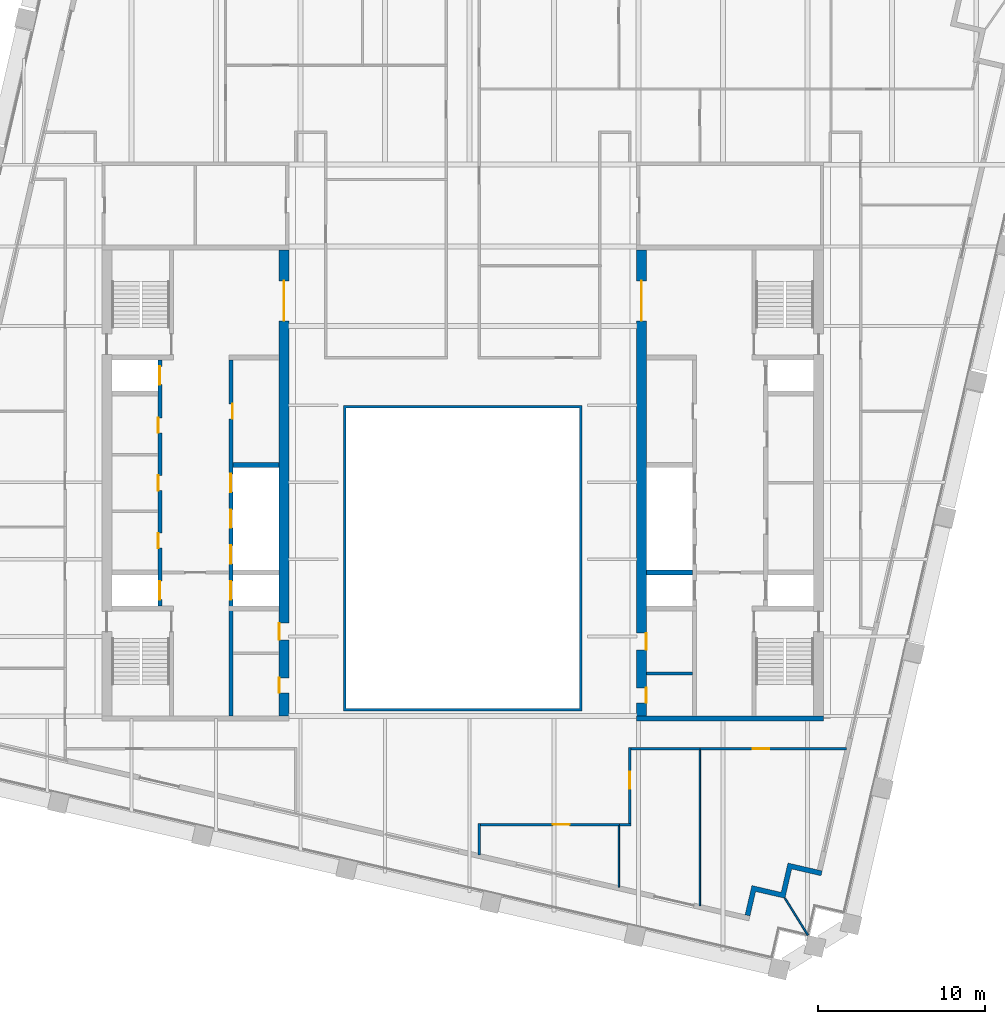
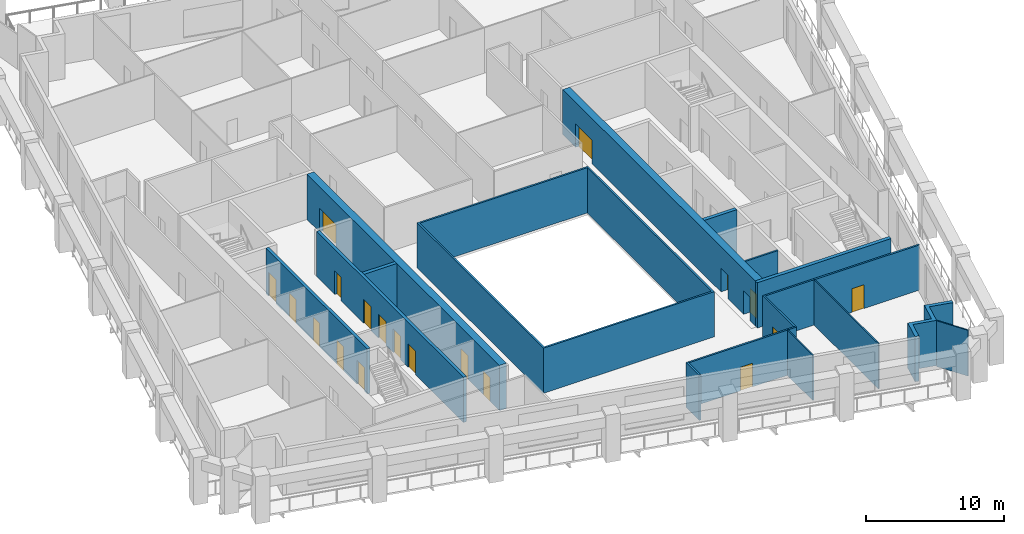
# One storey, part 4 of 9: 19 doors, 19 walls, 19 openings.
"""IFC4 building model written with IfcOpenShell, lengths in metres."""

from ifc_helpers import new_model, si_unit, direction, frame, frame_2d, origin, place, context, subcontext, project, spatial, polyline, rectangle, outline, extrude, material, layer, layer_set, type_object, element, fill, save


model = new_model("IFC4")

# Units and contexts
model_context = context("Model", 3, precision=1e-05, world=origin(), true_north=direction((0.0, 1.0)))
body_context = subcontext(model_context, "Body", "Model", "MODEL_VIEW")
ifc_project = project(units=[si_unit("LENGTHUNIT", "METRE"), si_unit("AREAUNIT", "SQUARE_METRE"), si_unit("VOLUMEUNIT", "CUBIC_METRE"), si_unit("PLANEANGLEUNIT", "RADIAN"), si_unit("MASSUNIT", "GRAM", prefix="KILO")], contexts=[model_context])

# Site, building, storey
site_placement = place(None, origin())
site = spatial("IfcSite", under=ifc_project, at=site_placement, CompositionType="ELEMENT")
building_placement = place(site_placement, origin())
building = spatial("IfcBuilding", under=site, at=building_placement, Name="Ogive Exchange Tower", CompositionType="ELEMENT")
storey_placement = place(building_placement, frame((0.0, 0.0, 276.60009765625)))
storey = spatial("IfcBuildingStorey", under=building, at=storey_placement, Name="L60", CompositionType="ELEMENT", Elevation=276.60009765625)

# Walls
ifc_material_1 = material(Name="Gypsum board partition")
ifc_layer_1 = layer(ifc_material_1, 0.14990234375)
ifc_layer_set_1 = layer_set([ifc_layer_1], Name="Core room partition 150 gypsum")
wall_type_1 = type_object("IfcWallType", Name="Core room partition 150 gypsum", PredefinedType="PARTITIONING", material=ifc_layer_set_1)
wall_1_placement = place(storey_placement, frame((11.0, 0.10009765625, 0.0), z_axis=(0.0, 0.0, 1.0), x_axis=(1.0, 0.0, 0.0)))
element("IfcWall", 1, at=wall_1_placement, inside=storey, type_object=wall_type_1, Name="E south room partition", PredefinedType="PARTITIONING", context=body_context, shape_type="SweptSolid", body=[
    extrude(rectangle(XDim=2.75, YDim=0.14990234375, at=frame_2d((1.375, 0.0))), origin(), (0.0, 0.0, 1.0), 4.0),
])
ifc_material_2 = material(Name="Fire partition EI 60 150")
ifc_layer_2 = layer(ifc_material_2, 0.14990234375)
ifc_layer_set_2 = layer_set([ifc_layer_2], Name="Fire partition EI 60 150")
wall_type_2 = type_object("IfcWallType", Name="Fire partition EI 60 150", PredefinedType="PARTITIONING", material=ifc_layer_set_2)
wall_2_placement = place(storey_placement, frame((0.989990234375, -8.864990234375, 0.0), z_axis=(0.0, 0.0, 1.0), x_axis=(0.0, -1.0, 0.0)))
element("IfcWall", 2, at=wall_2_placement, inside=storey, type_object=wall_type_2, Name="L60-PWL-035", PredefinedType="PARTITIONING", context=body_context, shape_type="SweptSolid", body=[
    extrude(rectangle(XDim=1.887939453125, YDim=0.14990234375, at=frame_2d((0.94384765625, 0.0))), origin(), (0.0, 0.0, 1.0), 4.0),
])

# Wall, opening, door
wall_3_placement = place(storey_placement, frame((9.389892578125, -8.93994140625, 0.0), z_axis=(0.0, 0.0, 1.0), x_axis=(-1.0, 0.0, 0.0)))
wall_3 = element("IfcWall", 3, at=wall_3_placement, inside=storey, type_object=wall_type_2, Name="L60-PWL-045", PredefinedType="PARTITIONING", context=body_context, shape_type="SweptSolid", body=[
    extrude(rectangle(XDim=8.324951171875, YDim=0.14990234375, at=frame_2d((4.16259765625, 0.0))), origin(), (0.0, 0.0, 1.0), 4.0),
])
opening_1_placement = place(wall_3_placement, frame((3.0, 0.0, 0.0)))
opening_1 = element("IfcOpeningElement", 4, at=opening_1_placement, cuts=wall_3, Name="Opening L60-I07", PredefinedType="OPENING", context=body_context, shape_type="SweptSolid", body=[
    extrude(rectangle(XDim=1.0, YDim=2.10009765625, at=frame_2d((0.5, 1.050048828125))), frame((0.0, 0.0849609375, 0.0), z_axis=(0.0, -1.0, 0.0), x_axis=(1.0, 0.0, 0.0)), (0.0, 0.0, 1.0), 0.169921875),
])
ifc_material_3 = material(Name="Fire door FD 30S 1000 x 2100")
door_type_1 = type_object("IfcDoorType", Name="Fire door FD 30S 1000 x 2100", OperationType="NOTDEFINED", PredefinedType="DOOR", material=ifc_material_3)
door_1_placement = place(opening_1_placement, origin())
door_1 = element("IfcDoor", 5, at=door_1_placement, inside=storey, type_object=door_type_1, Name="L60-IDR-007", ObjectType="DT3", OperationType="SINGLE_SWING_RIGHT", OverallHeight=2.10009765625, OverallWidth=1.0, PredefinedType="DOOR", context=body_context, shape_type="SweptSolid", body=[
    extrude(rectangle(XDim=1.0, YDim=2.10009765625, at=frame_2d((0.5, 1.050048828125))), frame((0.0, 0.02490234375, 0.0), z_axis=(0.0, -1.0, 0.0), x_axis=(1.0, 0.0, 0.0)), (0.0, 0.0, 1.0), 0.050048828125),
])
fill(opening_1, door_1)

# Wall
wall_4_placement = place(storey_placement, frame((10.074951171875, -8.93994140625, 0.0), z_axis=(0.0, 0.0, 1.0), x_axis=(-1.0, 0.0, 0.0)))
element("IfcWall", 6, at=wall_4_placement, inside=storey, type_object=wall_type_2, Name="L60-PWL-051", PredefinedType="PARTITIONING", context=body_context, shape_type="SweptSolid", body=[
    extrude(rectangle(XDim=0.68505859375, YDim=0.14990234375, at=frame_2d((0.342529296875, 0.0))), origin(), (0.0, 0.0, 1.0), 4.0),
])

# Wall, opening, door
wall_5_placement = place(storey_placement, frame((10.0, -4.324951171875, 0.0), z_axis=(0.0, 0.0, 1.0), x_axis=(0.0, -1.0, 0.0)))
wall_5 = element("IfcWall", 7, at=wall_5_placement, inside=storey, type_object=wall_type_2, Name="L60-PWL-052", PredefinedType="PARTITIONING", context=body_context, shape_type="SweptSolid", body=[
    extrude(rectangle(XDim=4.5400390625, YDim=0.14990234375, at=frame_2d((2.27001953125, 0.0))), origin(), (0.0, 0.0, 1.0), 4.0),
])
opening_2_placement = place(wall_5_placement, frame((1.465087890625, 0.0, 0.0)))
opening_2 = element("IfcOpeningElement", 8, at=opening_2_placement, cuts=wall_5, Name="Opening L60-I08", PredefinedType="OPENING", context=body_context, shape_type="SweptSolid", body=[
    extrude(rectangle(XDim=1.0, YDim=2.10009765625, at=frame_2d((0.5, 1.050048828125))), frame((0.0, 0.0849609375, 0.0), z_axis=(0.0, -1.0, 0.0), x_axis=(1.0, 0.0, 0.0)), (0.0, 0.0, 1.0), 0.169921875),
])
door_2_placement = place(opening_2_placement, origin())
door_2 = element("IfcDoor", 9, at=door_2_placement, inside=storey, type_object=door_type_1, Name="L60-IDR-008", ObjectType="DT3", OperationType="SINGLE_SWING_RIGHT", OverallHeight=2.10009765625, OverallWidth=1.0, PredefinedType="DOOR", context=body_context, shape_type="SweptSolid", body=[
    extrude(rectangle(XDim=1.0, YDim=2.10009765625, at=frame_2d((0.5, 1.050048828125))), frame((0.0, 0.02490234375, 0.0), z_axis=(0.0, -1.0, 0.0), x_axis=(1.0, 0.0, 0.0)), (0.0, 0.0, 1.0), 0.050048828125),
])
fill(opening_2, door_2)

# Wall
wall_6_placement = place(storey_placement, frame((14.18994140625, -4.39990234375, 0.0), z_axis=(0.0, 0.0, 1.0), x_axis=(-1.0, 0.0, 0.0)))
element("IfcWall", 10, at=wall_6_placement, inside=storey, type_object=wall_type_2, Name="L60-PWL-054", PredefinedType="PARTITIONING", context=body_context, shape_type="SweptSolid", body=[
    extrude(rectangle(XDim=4.114990234375, YDim=0.14990234375, at=frame_2d((2.0576171875, 0.0))), origin(), (0.0, 0.0, 1.0), 4.0),
])

# Wall, opening, door
wall_7_placement = place(storey_placement, frame((22.968017578125, -4.39990234375, 0.0), z_axis=(0.0, 0.0, 1.0), x_axis=(-1.0, 0.0, 0.0)))
wall_7 = element("IfcWall", 11, at=wall_7_placement, inside=storey, type_object=wall_type_2, Name="L60-PWL-064", PredefinedType="PARTITIONING", context=body_context, shape_type="SweptSolid", body=[
    extrude(rectangle(XDim=8.778076171875, YDim=0.14990234375, at=frame_2d((4.38916015625, 0.0))), origin(), (0.0, 0.0, 1.0), 4.0),
])
opening_3_placement = place(wall_7_placement, frame((4.6279296875, 0.0, 0.0)))
opening_3 = element("IfcOpeningElement", 12, at=opening_3_placement, cuts=wall_7, Name="Opening L60-I09", PredefinedType="OPENING", context=body_context, shape_type="SweptSolid", body=[
    extrude(rectangle(XDim=1.0, YDim=2.10009765625, at=frame_2d((0.5, 1.050048828125))), frame((0.0, 0.0849609375, 0.0), z_axis=(0.0, -1.0, 0.0), x_axis=(1.0, 0.0, 0.0)), (0.0, 0.0, 1.0), 0.169921875),
])
door_3_placement = place(opening_3_placement, origin())
door_3 = element("IfcDoor", 13, at=door_3_placement, inside=storey, type_object=door_type_1, Name="L60-IDR-009", ObjectType="DT3", OperationType="SINGLE_SWING_LEFT", OverallHeight=2.10009765625, OverallWidth=1.0, PredefinedType="DOOR", context=body_context, shape_type="SweptSolid", body=[
    extrude(rectangle(XDim=1.0, YDim=2.10009765625, at=frame_2d((0.5, 1.050048828125))), frame((0.0, 0.02490234375, 0.0), z_axis=(0.0, -1.0, 0.0), x_axis=(1.0, 0.0, 0.0)), (0.0, 0.0, 1.0), 0.050048828125),
])
fill(opening_3, door_3)

# Walls
ifc_material_4 = material(Name="Fire-resisting glass in steel frame", Category="steel")
ifc_layer_3 = layer(ifc_material_4, 0.14990234375)
ifc_layer_set_3 = layer_set([ifc_layer_3], Name="Fire-rated glazed wall 150")
wall_type_3 = type_object("IfcWallType", Name="Fire-rated glazed wall 150", PredefinedType="STANDARD", material=ifc_layer_set_3)
wall_8_placement = place(storey_placement, origin())
element("IfcWall", 14, at=wall_8_placement, inside=storey, type_object=wall_type_3, Name="Nave enclosure wall", PredefinedType="STANDARD", context=body_context, shape_type="SweptSolid", body=[
    extrude(outline(polyline([(-7.14990234375, -2.14990234375), (7.14990234375, -2.14990234375), (7.14990234375, 16.14990234375), (-7.14990234375, 16.14990234375), (-7.14990234375, -2.14990234375)]), holes=[polyline([(-7.0, -2.0), (-7.0, 16.0), (7.0, 16.0), (7.0, -2.0), (-7.0, -2.0)])]), origin(), (0.0, 0.0, 1.0), 4.0),
])
ifc_material_5 = material(Name="Precast concrete C40/50", Category="concrete")
ifc_layer_4 = layer(ifc_material_5, 0.300048828125)
ifc_layer_set_4 = layer_set([ifc_layer_4], Name="Limestone-faced wall 300")
wall_type_4 = type_object("IfcWallType", Name="Limestone-faced wall 300", PredefinedType="STANDARD", material=ifc_layer_set_4)
wall_9_placement = place(storey_placement, origin())
element("IfcWall", 15, at=wall_9_placement, inside=storey, type_object=wall_type_4, Name="External corner wall C1", PredefinedType="STANDARD", context=body_context, shape_type="SweptSolid", body=[
    extrude(outline(polyline([(19.053955078125, -12.993408203125), (19.458740234375, -11.239501953125), (21.5048828125, -11.7119140625), (21.4375, -12.004150390625), (19.68359375, -11.599365234375), (19.27880859375, -13.353271484375), (17.52490234375, -12.9482421875), (17.1875, -14.409912109375), (16.89501953125, -14.34228515625), (17.300048828125, -12.58837890625), (19.053955078125, -12.993408203125)])), origin(), (0.0, 0.0, 1.0), 4.0),
])
ifc_material_6 = material(Name="Laminated safety glass in steel frame", Category="steel")
ifc_layer_5 = layer(ifc_material_6, 0.10009765625)
ifc_layer_set_5 = layer_set([ifc_layer_5], Name="Loggia end screen 100")
wall_type_5 = type_object("IfcWallType", Name="Loggia end screen 100", PredefinedType="STANDARD", material=ifc_layer_set_5)
wall_10_placement = place(storey_placement, frame((19.27880859375, -13.353271484375, -0.050048828125), z_axis=(0.0, 0.0, 1.0), x_axis=(0.529914407191, -0.848051131154, 0.0)))
element("IfcWall", 16, at=wall_10_placement, inside=storey, type_object=wall_type_5, Name="Loggia end screen C1", PredefinedType="STANDARD", context=body_context, shape_type="SweptSolid", body=[
    extrude(rectangle(XDim=2.59619140625, YDim=0.10009765625, at=frame_2d((1.298095703125, 0.0))), origin(), (0.0, 0.0, 1.0), 4.050048828125),
])
ifc_material_7 = material(Name="Partition 100 gypsum")
ifc_layer_6 = layer(ifc_material_7, 0.10009765625)
ifc_layer_set_6 = layer_set([ifc_layer_6], Name="Partition 100 gypsum")
wall_type_6 = type_object("IfcWallType", Name="Partition 100 gypsum", PredefinedType="PARTITIONING", material=ifc_layer_set_6)
wall_11_placement = place(storey_placement, frame((9.340087890625, -9.014892578125, 0.0), z_axis=(0.0, 0.0, 1.0), x_axis=(0.0, -1.0, 0.0)))
element("IfcWall", 17, at=wall_11_placement, inside=storey, type_object=wall_type_6, Name="L60-PWL-046", PredefinedType="PARTITIONING", context=body_context, shape_type="SweptSolid", body=[
    extrude(rectangle(XDim=3.666015625, YDim=0.10009765625, at=frame_2d((1.8330078125, 0.0))), origin(), (0.0, 0.0, 1.0), 4.0),
])
wall_12_placement = place(storey_placement, frame((14.18994140625, -4.47509765625, 0.0), z_axis=(0.0, 0.0, 1.0), x_axis=(0.0, -1.0, 0.0)))
element("IfcWall", 18, at=wall_12_placement, inside=storey, type_object=wall_type_6, Name="L60-PWL-055", PredefinedType="PARTITIONING", context=body_context, shape_type="SweptSolid", body=[
    extrude(rectangle(XDim=9.324951171875, YDim=0.10009765625, at=frame_2d((4.66259765625, 0.0))), origin(), (0.0, 0.0, 1.0), 4.0),
])

# Wall, openings, doors
ifc_material_8 = material(Name="Concrete C70/85", Category="concrete")
ifc_layer_7 = layer(ifc_material_8, 0.25)
ifc_layer_set_7 = layer_set([ifc_layer_7], Name="RC core wall 250 C70/85")
wall_type_7 = type_object("IfcWallType", Name="RC core wall 250 C70/85", PredefinedType="SHEAR", material=ifc_layer_set_7)
wall_13_placement = place(storey_placement, frame((-18.125, 4.14990234375, 0.0), z_axis=(0.0, 0.0, 1.0), x_axis=(0.0, 1.0, 0.0)))
wall_13 = element("IfcWall", 19, at=wall_13_placement, inside=storey, type_object=wall_type_7, Name="W row A front wall", PredefinedType="SHEAR", context=body_context, shape_type="SweptSolid", body=[
    extrude(rectangle(XDim=14.7001953125, YDim=0.25, at=frame_2d((7.35009765625, 0.0))), origin(), (0.0, 0.0, 1.0), 4.0),
])
opening_4_placement = place(wall_13_placement, frame((3.4462890625, 0.0, 0.0)))
opening_4 = element("IfcOpeningElement", 20, at=opening_4_placement, cuts=wall_13, Name="Opening L60-C01", PredefinedType="OPENING", context=body_context, shape_type="SweptSolid", body=[
    extrude(rectangle(XDim=0.89990234375, YDim=2.10009765625, at=frame_2d((0.449951171875, 1.050048828125))), frame((0.0, 0.135009765625, 0.0), z_axis=(0.0, -1.0, 0.0), x_axis=(1.0, 0.0, 0.0)), (0.0, 0.0, 1.0), 0.27001953125),
])
opening_5_placement = place(wall_13_placement, frame((6.89990234375, 0.0, 0.0)))
opening_5 = element("IfcOpeningElement", 21, at=opening_5_placement, cuts=wall_13, Name="Opening L60-C02", PredefinedType="OPENING", context=body_context, shape_type="SweptSolid", body=[
    extrude(rectangle(XDim=0.89990234375, YDim=2.10009765625, at=frame_2d((0.449951171875, 1.050048828125))), frame((0.0, 0.135009765625, 0.0), z_axis=(0.0, -1.0, 0.0), x_axis=(1.0, 0.0, 0.0)), (0.0, 0.0, 1.0), 0.27001953125),
])
opening_6_placement = place(wall_13_placement, frame((10.353515625, 0.0, 0.0)))
opening_6 = element("IfcOpeningElement", 22, at=opening_6_placement, cuts=wall_13, Name="Opening L60-C03", PredefinedType="OPENING", context=body_context, shape_type="SweptSolid", body=[
    extrude(rectangle(XDim=0.89990234375, YDim=2.10009765625, at=frame_2d((0.449951171875, 1.050048828125))), frame((0.0, 0.135009765625, 0.0), z_axis=(0.0, -1.0, 0.0), x_axis=(1.0, 0.0, 0.0)), (0.0, 0.0, 1.0), 0.27001953125),
])
opening_7_placement = place(wall_13_placement, frame((0.371337890625, 0.0, 0.0)))
opening_7 = element("IfcOpeningElement", 23, at=opening_7_placement, cuts=wall_13, Name="Opening L60-C04", PredefinedType="OPENING", context=body_context, shape_type="SweptSolid", body=[
    extrude(rectangle(XDim=1.10009765625, YDim=2.10009765625, at=frame_2d((0.550048828125, 1.050048828125))), frame((0.0, 0.135009765625, 0.0), z_axis=(0.0, -1.0, 0.0), x_axis=(1.0, 0.0, 0.0)), (0.0, 0.0, 1.0), 0.27001953125),
])
opening_8_placement = place(wall_13_placement, frame((13.228515625, 0.0, 0.0)))
opening_8 = element("IfcOpeningElement", 24, at=opening_8_placement, cuts=wall_13, Name="Opening L60-C05", PredefinedType="OPENING", context=body_context, shape_type="SweptSolid", body=[
    extrude(rectangle(XDim=1.10009765625, YDim=2.10009765625, at=frame_2d((0.550048828125, 1.050048828125))), frame((0.0, 0.135009765625, 0.0), z_axis=(0.0, -1.0, 0.0), x_axis=(1.0, 0.0, 0.0)), (0.0, 0.0, 1.0), 0.27001953125),
])
ifc_material_9 = material(Name="Timber fire door", Category="wood")
door_type_2 = type_object("IfcDoorType", Name="Core room door FD30S 900 x 2100", OperationType="NOTDEFINED", PredefinedType="DOOR", material=ifc_material_9)
door_4_placement = place(opening_5_placement, origin())
door_4 = element("IfcDoor", 25, at=door_4_placement, inside=storey, type_object=door_type_2, Name="Core room door", ObjectType="CD6", OperationType="SINGLE_SWING_RIGHT", OverallHeight=2.10009765625, OverallWidth=0.89990234375, PredefinedType="DOOR", context=body_context, shape_type="SweptSolid", body=[
    extrude(rectangle(XDim=0.89990234375, YDim=2.10009765625, at=frame_2d((0.449951171875, 1.050048828125))), frame((0.0, 0.125, 0.0), z_axis=(0.0, -1.0, 0.0), x_axis=(1.0, 0.0, 0.0)), (0.0, 0.0, 1.0), 0.050048828125),
])
fill(opening_5, door_4)
ifc_material_10 = material(Name="Stainless steel", Category="steel")
door_type_3 = type_object("IfcDoorType", Name="Lift landing door FD90 1100 x 2100", OperationType="SLIDING_TO_LEFT", PredefinedType="DOOR", material=ifc_material_10)
door_5_placement = place(opening_7_placement, origin())
door_5 = element("IfcDoor", 26, at=door_5_placement, inside=storey, type_object=door_type_3, Name="Lift landing door FF1", ObjectType="LD", OperationType="SLIDING_TO_LEFT", OverallHeight=2.10009765625, OverallWidth=1.10009765625, PredefinedType="DOOR", context=body_context, shape_type="SweptSolid", body=[
    extrude(rectangle(XDim=1.10009765625, YDim=2.10009765625, at=frame_2d((0.550048828125, 1.050048828125))), frame((0.0, 0.02490234375, 0.0), z_axis=(0.0, -1.0, 0.0), x_axis=(1.0, 0.0, 0.0)), (0.0, 0.0, 1.0), 0.050048828125),
])
fill(opening_7, door_5)
door_6_placement = place(opening_8_placement, origin())
door_6 = element("IfcDoor", 27, at=door_6_placement, inside=storey, type_object=door_type_3, Name="Lift landing door W-SH2", ObjectType="LD", OperationType="SLIDING_TO_LEFT", OverallHeight=2.10009765625, OverallWidth=1.10009765625, PredefinedType="DOOR", context=body_context, shape_type="SweptSolid", body=[
    extrude(rectangle(XDim=1.10009765625, YDim=2.10009765625, at=frame_2d((0.550048828125, 1.050048828125))), frame((0.0, 0.02490234375, 0.0), z_axis=(0.0, -1.0, 0.0), x_axis=(1.0, 0.0, 0.0)), (0.0, 0.0, 1.0), 0.050048828125),
])
fill(opening_8, door_6)
ifc_material_11 = material(Name="Steel fire door", Category="steel")
door_type_4 = type_object("IfcDoorType", Name="Riser door FD60 900 x 2100", OperationType="NOTDEFINED", PredefinedType="DOOR", material=ifc_material_11)
door_7_placement = place(opening_4_placement, origin())
door_7 = element("IfcDoor", 28, at=door_7_placement, inside=storey, type_object=door_type_4, Name="Riser door", ObjectType="CD2", OperationType="SINGLE_SWING_RIGHT", OverallHeight=2.10009765625, OverallWidth=0.89990234375, PredefinedType="DOOR", context=body_context, shape_type="SweptSolid", body=[
    extrude(rectangle(XDim=0.89990234375, YDim=2.10009765625, at=frame_2d((0.449951171875, 1.050048828125))), frame((0.0, 0.125, 0.0), z_axis=(0.0, -1.0, 0.0), x_axis=(1.0, 0.0, 0.0)), (0.0, 0.0, 1.0), 0.050048828125),
])
fill(opening_4, door_7)
door_8_placement = place(opening_6_placement, origin())
door_8 = element("IfcDoor", 29, at=door_8_placement, inside=storey, type_object=door_type_4, Name="Riser door", ObjectType="CD2", OperationType="SINGLE_SWING_RIGHT", OverallHeight=2.10009765625, OverallWidth=0.89990234375, PredefinedType="DOOR", context=body_context, shape_type="SweptSolid", body=[
    extrude(rectangle(XDim=0.89990234375, YDim=2.10009765625, at=frame_2d((0.449951171875, 1.050048828125))), frame((0.0, 0.125, 0.0), z_axis=(0.0, -1.0, 0.0), x_axis=(1.0, 0.0, 0.0)), (0.0, 0.0, 1.0), 0.050048828125),
])
fill(opening_6, door_8)

wall_14_placement = place(storey_placement, frame((-13.875, -2.449951171875, 0.0), z_axis=(0.0, 0.0, 1.0), x_axis=(0.0, 1.0, 0.0)))
wall_14 = element("IfcWall", 30, at=wall_14_placement, inside=storey, type_object=wall_type_7, Name="W row B front wall", PredefinedType="SHEAR", context=body_context, shape_type="SweptSolid", body=[
    extrude(rectangle(XDim=21.300048828125, YDim=0.25, at=frame_2d((10.64990234375, 0.0))), origin(), (0.0, 0.0, 1.0), 4.0),
])
opening_9_placement = place(wall_14_placement, frame((17.78564453125, 0.0, 0.0)))
opening_9 = element("IfcOpeningElement", 31, at=opening_9_placement, cuts=wall_14, Name="Opening L60-C06", PredefinedType="OPENING", context=body_context, shape_type="SweptSolid", body=[
    extrude(rectangle(XDim=0.89990234375, YDim=2.10009765625, at=frame_2d((0.449951171875, 1.050048828125))), frame((0.0, 0.135009765625, 0.0), z_axis=(0.0, -1.0, 0.0), x_axis=(1.0, 0.0, 0.0)), (0.0, 0.0, 1.0), 0.27001953125),
])
opening_10_placement = place(wall_14_placement, frame((6.971435546875, 0.0, 0.0)))
opening_10 = element("IfcOpeningElement", 32, at=opening_10_placement, cuts=wall_14, Name="Opening L60-C07", PredefinedType="OPENING", context=body_context, shape_type="SweptSolid", body=[
    extrude(rectangle(XDim=1.10009765625, YDim=2.10009765625, at=frame_2d((0.550048828125, 1.050048828125))), frame((0.0, 0.135009765625, 0.0), z_axis=(0.0, -1.0, 0.0), x_axis=(1.0, 0.0, 0.0)), (0.0, 0.0, 1.0), 0.27001953125),
])
opening_11_placement = place(wall_14_placement, frame((9.1142578125, 0.0, 0.0)))
opening_11 = element("IfcOpeningElement", 33, at=opening_11_placement, cuts=wall_14, Name="Opening L60-C08", PredefinedType="OPENING", context=body_context, shape_type="SweptSolid", body=[
    extrude(rectangle(XDim=1.10009765625, YDim=2.10009765625, at=frame_2d((0.550048828125, 1.050048828125))), frame((0.0, 0.135009765625, 0.0), z_axis=(0.0, -1.0, 0.0), x_axis=(1.0, 0.0, 0.0)), (0.0, 0.0, 1.0), 0.27001953125),
])
opening_12_placement = place(wall_14_placement, frame((11.257080078125, 0.0, 0.0)))
opening_12 = element("IfcOpeningElement", 34, at=opening_12_placement, cuts=wall_14, Name="Opening L60-C09", PredefinedType="OPENING", context=body_context, shape_type="SweptSolid", body=[
    extrude(rectangle(XDim=1.10009765625, YDim=2.10009765625, at=frame_2d((0.550048828125, 1.050048828125))), frame((0.0, 0.135009765625, 0.0), z_axis=(0.0, -1.0, 0.0), x_axis=(1.0, 0.0, 0.0)), (0.0, 0.0, 1.0), 0.27001953125),
])
opening_13_placement = place(wall_14_placement, frame((13.39990234375, 0.0, 0.0)))
opening_13 = element("IfcOpeningElement", 35, at=opening_13_placement, cuts=wall_14, Name="Opening L60-C10", PredefinedType="OPENING", context=body_context, shape_type="SweptSolid", body=[
    extrude(rectangle(XDim=1.10009765625, YDim=2.10009765625, at=frame_2d((0.550048828125, 1.050048828125))), frame((0.0, 0.135009765625, 0.0), z_axis=(0.0, -1.0, 0.0), x_axis=(1.0, 0.0, 0.0)), (0.0, 0.0, 1.0), 0.27001953125),
])
door_9_placement = place(opening_10_placement, origin())
door_9 = element("IfcDoor", 36, at=door_9_placement, inside=storey, type_object=door_type_3, Name="Lift landing door SV1", ObjectType="LD", OperationType="SLIDING_TO_LEFT", OverallHeight=2.10009765625, OverallWidth=1.10009765625, PredefinedType="DOOR", context=body_context, shape_type="SweptSolid", body=[
    extrude(rectangle(XDim=1.10009765625, YDim=2.10009765625, at=frame_2d((0.550048828125, 1.050048828125))), frame((0.0, 0.02490234375, 0.0), z_axis=(0.0, -1.0, 0.0), x_axis=(1.0, 0.0, 0.0)), (0.0, 0.0, 1.0), 0.050048828125),
])
fill(opening_10, door_9)
door_10_placement = place(opening_11_placement, origin())
door_10 = element("IfcDoor", 37, at=door_10_placement, inside=storey, type_object=door_type_3, Name="Lift landing door W-M1", ObjectType="LD", OperationType="SLIDING_TO_LEFT", OverallHeight=2.10009765625, OverallWidth=1.10009765625, PredefinedType="DOOR", context=body_context, shape_type="SweptSolid", body=[
    extrude(rectangle(XDim=1.10009765625, YDim=2.10009765625, at=frame_2d((0.550048828125, 1.050048828125))), frame((0.0, 0.02490234375, 0.0), z_axis=(0.0, -1.0, 0.0), x_axis=(1.0, 0.0, 0.0)), (0.0, 0.0, 1.0), 0.050048828125),
])
fill(opening_11, door_10)
door_11_placement = place(opening_12_placement, origin())
door_11 = element("IfcDoor", 38, at=door_11_placement, inside=storey, type_object=door_type_3, Name="Lift landing door W-M2", ObjectType="LD", OperationType="SLIDING_TO_LEFT", OverallHeight=2.10009765625, OverallWidth=1.10009765625, PredefinedType="DOOR", context=body_context, shape_type="SweptSolid", body=[
    extrude(rectangle(XDim=1.10009765625, YDim=2.10009765625, at=frame_2d((0.550048828125, 1.050048828125))), frame((0.0, 0.02490234375, 0.0), z_axis=(0.0, -1.0, 0.0), x_axis=(1.0, 0.0, 0.0)), (0.0, 0.0, 1.0), 0.050048828125),
])
fill(opening_12, door_11)
door_12_placement = place(opening_13_placement, origin())
door_12 = element("IfcDoor", 39, at=door_12_placement, inside=storey, type_object=door_type_3, Name="Lift landing door W-M3", ObjectType="LD", OperationType="SLIDING_TO_LEFT", OverallHeight=2.10009765625, OverallWidth=1.10009765625, PredefinedType="DOOR", context=body_context, shape_type="SweptSolid", body=[
    extrude(rectangle(XDim=1.10009765625, YDim=2.10009765625, at=frame_2d((0.550048828125, 1.050048828125))), frame((0.0, 0.02490234375, 0.0), z_axis=(0.0, -1.0, 0.0), x_axis=(1.0, 0.0, 0.0)), (0.0, 0.0, 1.0), 0.050048828125),
])
fill(opening_13, door_12)
door_13_placement = place(opening_9_placement, frame((0.89990234375, -0.2001953125, 0.0), z_axis=(0.0, 0.0, 1.0), x_axis=(-1.0, 0.0, 0.0)))
door_13 = element("IfcDoor", 40, at=door_13_placement, inside=storey, type_object=door_type_4, Name="Riser door", ObjectType="CD2", OperationType="SINGLE_SWING_RIGHT", OverallHeight=2.10009765625, OverallWidth=0.89990234375, PredefinedType="DOOR", context=body_context, shape_type="SweptSolid", body=[
    extrude(rectangle(XDim=0.89990234375, YDim=2.10009765625, at=frame_2d((0.449951171875, 1.050048828125))), frame((0.0, -0.0751953125, 0.0), z_axis=(0.0, -1.0, 0.0), x_axis=(1.0, 0.0, 0.0)), (0.0, 0.0, 1.0), 0.050048828125),
])
fill(opening_9, door_13)

# Walls
ifc_layer_8 = layer(ifc_material_8, 0.300048828125)
ifc_layer_set_8 = layer_set([ifc_layer_8], Name="RC core wall 300 C70/85")
wall_type_8 = type_object("IfcWallType", Name="RC core wall 300 C70/85", PredefinedType="SHEAR", material=ifc_layer_set_8)
wall_15_placement = place(storey_placement, frame((-13.75, 12.5712890625, 0.0), z_axis=(0.0, 0.0, 1.0), x_axis=(1.0, 0.0, 0.0)))
element("IfcWall", 41, at=wall_15_placement, inside=storey, type_object=wall_type_8, Name="W row B divider 4", PredefinedType="SHEAR", context=body_context, shape_type="SweptSolid", body=[
    extrude(rectangle(XDim=2.75, YDim=0.300048828125, at=frame_2d((1.375, 0.0))), origin(), (0.0, 0.0, 1.0), 4.0),
])
wall_16_placement = place(storey_placement, frame((10.39990234375, -2.60009765625, 0.0), z_axis=(0.0, 0.0, 1.0), x_axis=(1.0, 0.0, 0.0)))
element("IfcWall", 42, at=wall_16_placement, inside=storey, type_object=wall_type_8, Name="E south end wall", PredefinedType="SHEAR", context=body_context, shape_type="SweptSolid", body=[
    extrude(rectangle(XDim=11.2001953125, YDim=0.300048828125, at=frame_2d((5.60009765625, 0.0))), origin(), (0.0, 0.0, 1.0), 4.0),
])
wall_17_placement = place(storey_placement, frame((11.0, 6.142822265625, 0.0), z_axis=(0.0, 0.0, 1.0), x_axis=(1.0, 0.0, 0.0)))
element("IfcWall", 43, at=wall_17_placement, inside=storey, type_object=wall_type_8, Name="E row B divider 1", PredefinedType="SHEAR", context=body_context, shape_type="SweptSolid", body=[
    extrude(rectangle(XDim=2.75, YDim=0.300048828125, at=frame_2d((1.375, 0.0))), origin(), (0.0, 0.0, 1.0), 4.0),
])

# Wall, openings, doors
ifc_layer_9 = layer(ifc_material_8, 0.60009765625)
ifc_layer_set_9 = layer_set([ifc_layer_9], Name="RC core wall 600 C70/85")
wall_type_9 = type_object("IfcWallType", Name="RC core wall 600 C70/85", PredefinedType="SHEAR", material=ifc_layer_set_9)
wall_18_placement = place(storey_placement, frame((-10.699951171875, -2.449951171875, 0.0), z_axis=(0.0, 0.0, 1.0), x_axis=(0.0, 1.0, 0.0)))
wall_18 = element("IfcWall", 44, at=wall_18_placement, inside=storey, type_object=wall_type_9, Name="W inner wall", PredefinedType="SHEAR", context=body_context, shape_type="SweptSolid", body=[
    extrude(rectangle(XDim=27.89990234375, YDim=0.60009765625, at=frame_2d((13.949951171875, 0.0))), origin(), (0.0, 0.0, 1.0), 4.0),
])
opening_14_placement = place(wall_18_placement, frame((23.64990234375, 0.0, 0.0)))
opening_14 = element("IfcOpeningElement", 45, at=opening_14_placement, cuts=wall_18, Name="Opening L60-C12", PredefinedType="OPENING", context=body_context, shape_type="SweptSolid", body=[
    extrude(rectangle(XDim=2.39990234375, YDim=2.10009765625, at=frame_2d((1.199951171875, 1.050048828125))), frame((0.0, 0.31005859375, 0.0), z_axis=(0.0, -1.0, 0.0), x_axis=(1.0, 0.0, 0.0)), (0.0, 0.0, 1.0), 0.6201171875),
])
opening_15_placement = place(wall_18_placement, frame((1.387451171875, 0.0, 0.0)))
opening_15 = element("IfcOpeningElement", 46, at=opening_15_placement, cuts=wall_18, Name="Opening L60-C17", PredefinedType="OPENING", context=body_context, shape_type="SweptSolid", body=[
    extrude(rectangle(XDim=0.89990234375, YDim=2.10009765625, at=frame_2d((0.449951171875, 1.050048828125))), frame((0.0, 0.31005859375, 0.0), z_axis=(0.0, -1.0, 0.0), x_axis=(1.0, 0.0, 0.0)), (0.0, 0.0, 1.0), 0.6201171875),
])
opening_16_placement = place(wall_18_placement, frame((4.5625, 0.0, 0.0)))
opening_16 = element("IfcOpeningElement", 47, at=opening_16_placement, cuts=wall_18, Name="Opening L60-C18", PredefinedType="OPENING", context=body_context, shape_type="SweptSolid", body=[
    extrude(rectangle(XDim=1.0, YDim=2.10009765625, at=frame_2d((0.5, 1.050048828125))), frame((0.0, 0.31005859375, 0.0), z_axis=(0.0, -1.0, 0.0), x_axis=(1.0, 0.0, 0.0)), (0.0, 0.0, 1.0), 0.6201171875),
])
door_type_5 = type_object("IfcDoorType", Name="Accessible WC door FD30S 1000 x 2100", OperationType="NOTDEFINED", PredefinedType="DOOR", material=ifc_material_9)
door_14_placement = place(opening_16_placement, frame((1.0, 0.5498046875, 0.0), z_axis=(0.0, 0.0, 1.0), x_axis=(-1.0, 0.0, 0.0)))
door_14 = element("IfcDoor", 48, at=door_14_placement, inside=storey, type_object=door_type_5, Name="Accessible WC door", ObjectType="CD7", OperationType="SINGLE_SWING_RIGHT", OverallHeight=2.10009765625, OverallWidth=1.0, PredefinedType="DOOR", context=body_context, shape_type="SweptSolid", body=[
    extrude(rectangle(XDim=1.0, YDim=2.10009765625, at=frame_2d((0.5, 1.050048828125))), frame((0.0, 0.2998046875, 0.0), z_axis=(0.0, -1.0, 0.0), x_axis=(1.0, 0.0, 0.0)), (0.0, 0.0, 1.0), 0.050048828125),
])
fill(opening_16, door_14)
door_15_placement = place(opening_15_placement, frame((0.89990234375, 0.5498046875, 0.0), z_axis=(0.0, 0.0, 1.0), x_axis=(-1.0, 0.0, 0.0)))
door_15 = element("IfcDoor", 49, at=door_15_placement, inside=storey, type_object=door_type_2, Name="Core room door", ObjectType="CD6", OperationType="SINGLE_SWING_LEFT", OverallHeight=2.10009765625, OverallWidth=0.89990234375, PredefinedType="DOOR", context=body_context, shape_type="SweptSolid", body=[
    extrude(rectangle(XDim=0.89990234375, YDim=2.10009765625, at=frame_2d((0.449951171875, 1.050048828125))), frame((0.0, 0.2998046875, 0.0), z_axis=(0.0, -1.0, 0.0), x_axis=(1.0, 0.0, 0.0)), (0.0, 0.0, 1.0), 0.050048828125),
])
fill(opening_15, door_15)
ifc_material_12 = material(Name="Glazed steel fire door", Category="steel")
door_type_6 = type_object("IfcDoorType", Name="Lift lobby double door FD60 2400 x 2100", OperationType="DOUBLE_DOOR_SINGLE_SWING", PredefinedType="DOOR", material=ifc_material_12)
door_16_placement = place(opening_14_placement, frame((2.39990234375, 0.0, 0.0), z_axis=(0.0, 0.0, 1.0), x_axis=(-1.0, 0.0, 0.0)))
door_16 = element("IfcDoor", 50, at=door_16_placement, inside=storey, type_object=door_type_6, Name="Lift lobby double door", ObjectType="CD4", OperationType="DOUBLE_DOOR_SINGLE_SWING", OverallHeight=2.10009765625, OverallWidth=2.39990234375, PredefinedType="DOOR", context=body_context, shape_type="SweptSolid", body=[
    extrude(rectangle(XDim=2.39990234375, YDim=2.10009765625, at=frame_2d((1.199951171875, 1.050048828125))), frame((0.0, 0.02490234375, 0.0), z_axis=(0.0, -1.0, 0.0), x_axis=(1.0, 0.0, 0.0)), (0.0, 0.0, 1.0), 0.050048828125),
])
fill(opening_14, door_16)

wall_19_placement = place(storey_placement, frame((10.699951171875, -2.449951171875, 0.0), z_axis=(0.0, 0.0, 1.0), x_axis=(0.0, 1.0, 0.0)))
wall_19 = element("IfcWall", 51, at=wall_19_placement, inside=storey, type_object=wall_type_9, Name="E inner wall", PredefinedType="SHEAR", context=body_context, shape_type="SweptSolid", body=[
    extrude(rectangle(XDim=27.89990234375, YDim=0.60009765625, at=frame_2d((13.949951171875, 0.0))), origin(), (0.0, 0.0, 1.0), 4.0),
])
opening_17_placement = place(wall_19_placement, frame((23.64990234375, 0.0, 0.0)))
opening_17 = element("IfcOpeningElement", 52, at=opening_17_placement, cuts=wall_19, Name="Opening L60-C31", PredefinedType="OPENING", context=body_context, shape_type="SweptSolid", body=[
    extrude(rectangle(XDim=2.39990234375, YDim=2.10009765625, at=frame_2d((1.199951171875, 1.050048828125))), frame((0.0, 0.31005859375, 0.0), z_axis=(0.0, -1.0, 0.0), x_axis=(1.0, 0.0, 0.0)), (0.0, 0.0, 1.0), 0.6201171875),
])
opening_18_placement = place(wall_19_placement, frame((0.78759765625, 0.0, 0.0)))
opening_18 = element("IfcOpeningElement", 53, at=opening_18_placement, cuts=wall_19, Name="Opening L60-C36", PredefinedType="OPENING", context=body_context, shape_type="SweptSolid", body=[
    extrude(rectangle(XDim=0.89990234375, YDim=2.10009765625, at=frame_2d((0.449951171875, 1.050048828125))), frame((0.0, 0.31005859375, 0.0), z_axis=(0.0, -1.0, 0.0), x_axis=(1.0, 0.0, 0.0)), (0.0, 0.0, 1.0), 0.6201171875),
])
opening_19_placement = place(wall_19_placement, frame((3.96240234375, 0.0, 0.0)))
opening_19 = element("IfcOpeningElement", 54, at=opening_19_placement, cuts=wall_19, Name="Opening L60-C37", PredefinedType="OPENING", context=body_context, shape_type="SweptSolid", body=[
    extrude(rectangle(XDim=1.0, YDim=2.10009765625, at=frame_2d((0.5, 1.050048828125))), frame((0.0, 0.31005859375, 0.0), z_axis=(0.0, -1.0, 0.0), x_axis=(1.0, 0.0, 0.0)), (0.0, 0.0, 1.0), 0.6201171875),
])
door_17_placement = place(opening_19_placement, origin())
door_17 = element("IfcDoor", 55, at=door_17_placement, inside=storey, type_object=door_type_5, Name="Accessible WC door", ObjectType="CD7", OperationType="SINGLE_SWING_RIGHT", OverallHeight=2.10009765625, OverallWidth=1.0, PredefinedType="DOOR", context=body_context, shape_type="SweptSolid", body=[
    extrude(rectangle(XDim=1.0, YDim=2.10009765625, at=frame_2d((0.5, 1.050048828125))), frame((0.0, -0.25, 0.0), z_axis=(0.0, -1.0, 0.0), x_axis=(1.0, 0.0, 0.0)), (0.0, 0.0, 1.0), 0.050048828125),
])
fill(opening_19, door_17)
door_18_placement = place(opening_18_placement, origin())
door_18 = element("IfcDoor", 56, at=door_18_placement, inside=storey, type_object=door_type_2, Name="Core room door", ObjectType="CD6", OperationType="SINGLE_SWING_RIGHT", OverallHeight=2.10009765625, OverallWidth=0.89990234375, PredefinedType="DOOR", context=body_context, shape_type="SweptSolid", body=[
    extrude(rectangle(XDim=0.89990234375, YDim=2.10009765625, at=frame_2d((0.449951171875, 1.050048828125))), frame((0.0, -0.25, 0.0), z_axis=(0.0, -1.0, 0.0), x_axis=(1.0, 0.0, 0.0)), (0.0, 0.0, 1.0), 0.050048828125),
])
fill(opening_18, door_18)
door_19_placement = place(opening_17_placement, origin())
door_19 = element("IfcDoor", 57, at=door_19_placement, inside=storey, type_object=door_type_6, Name="Lift lobby double door", ObjectType="CD4", OperationType="DOUBLE_DOOR_SINGLE_SWING", OverallHeight=2.10009765625, OverallWidth=2.39990234375, PredefinedType="DOOR", context=body_context, shape_type="SweptSolid", body=[
    extrude(rectangle(XDim=2.39990234375, YDim=2.10009765625, at=frame_2d((1.199951171875, 1.050048828125))), frame((0.0, 0.02490234375, 0.0), z_axis=(0.0, -1.0, 0.0), x_axis=(1.0, 0.0, 0.0)), (0.0, 0.0, 1.0), 0.050048828125),
])
fill(opening_17, door_19)

save(model, "model.ifc")
